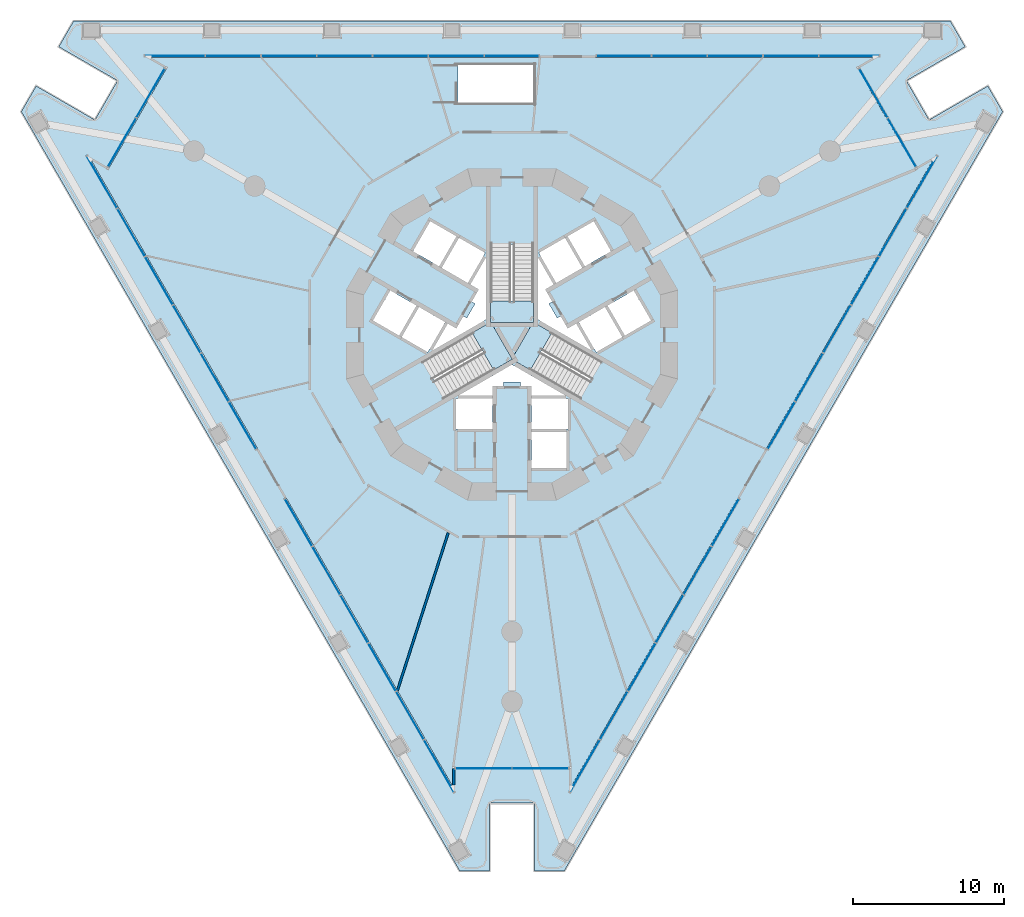
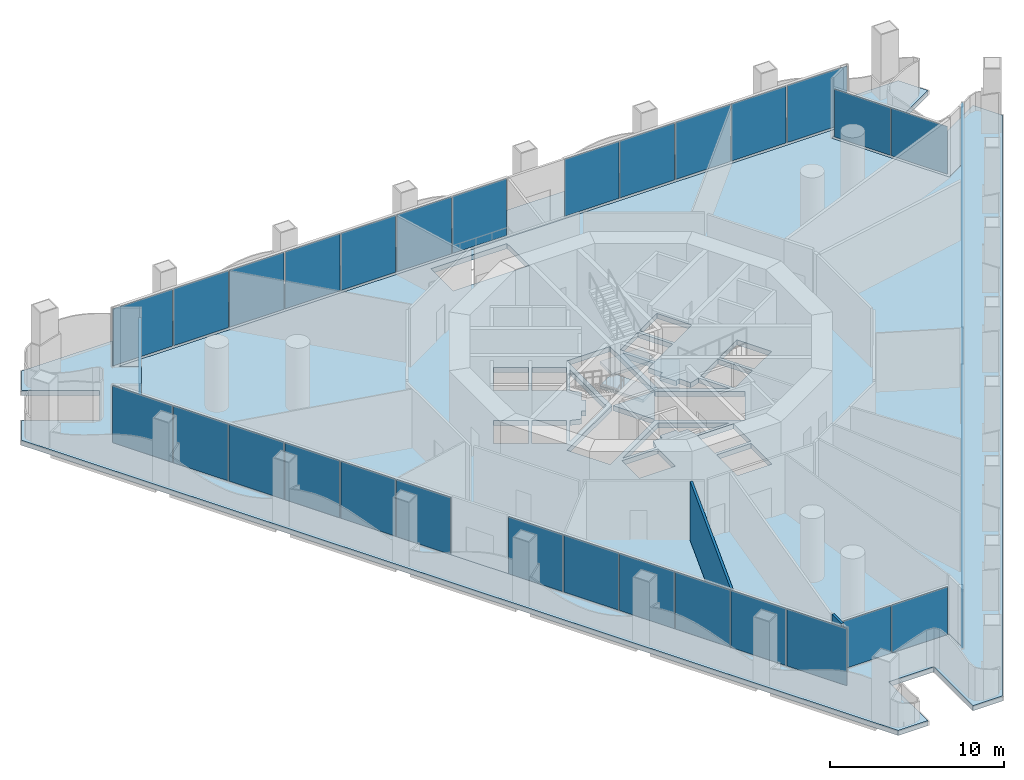
# One storey, part 9 of 21: 42 plates, 6 slabs, 2 walls, 12 elements without a shape of their own.
"""IFC4 building model written with IfcOpenShell, lengths in metres."""

from ifc_helpers import new_model, si_unit, direction, frame, frame_2d, origin, origin_2d, place, context, subcontext, project, spatial, polyline, rectangle, outline, extrude, material, layer, layer_set, type_object, element, aggregate, save


model = new_model("IFC4")

# Units and contexts
model_context = context("Model", 3, precision=1e-05, world=origin(), true_north=direction((0.0, 1.0)))
body_context = subcontext(model_context, "Body", "Model", "MODEL_VIEW")
ifc_project = project(units=[si_unit("LENGTHUNIT", "METRE"), si_unit("AREAUNIT", "SQUARE_METRE"), si_unit("VOLUMEUNIT", "CUBIC_METRE"), si_unit("PLANEANGLEUNIT", "RADIAN"), si_unit("MASSUNIT", "GRAM", prefix="KILO")], contexts=[model_context])

# Site, building, storey
site_placement = place(None, origin())
site = spatial("IfcSite", under=ifc_project, at=site_placement, CompositionType="ELEMENT")
building_placement = place(site_placement, origin())
building = spatial("IfcBuilding", under=site, at=building_placement, Name="Trine Commons Tower", CompositionType="ELEMENT")
storey_placement = place(building_placement, frame((0.0, 0.0, 27.0)))
storey = spatial("IfcBuildingStorey", under=building, at=storey_placement, Name="L05", CompositionType="ELEMENT", Elevation=27.0)

# Curtain wall, plates
ifc_material_1 = material(Name="Corner pocket glazing: anodised aluminium frame with low-emissivity double glazed unit, laminated", Category="aluminium")
ifc_layer_1 = layer(ifc_material_1, 0.179931640625)
ifc_layer_set_1 = layer_set([ifc_layer_1], Name="Corner pocket glazing: anodised aluminium frame with low-emissivity double glazed unit, laminated")
curtain_wall_type_1 = type_object("IfcCurtainWallType", Name="Corner pocket glazing curtain wall CW8", PredefinedType="NOTDEFINED", material=ifc_layer_set_1)
curtain_wall_1_placement = place(storey_placement, origin())
curtain_wall_1 = element("IfcCurtainWall", 1, at=curtain_wall_1_placement, inside=storey, type_object=curtain_wall_type_1, Name="Corner pocket glazing L05 P1.1", PredefinedType="NOTDEFINED")
ifc_material_2 = material(Name="Low-emissivity double glazed unit, laminated")
ifc_layer_2 = layer(ifc_material_2, 0.030029296875)
ifc_layer_set_2 = layer_set([ifc_layer_2], Name="Low-emissivity double glazed unit, laminated")
plate_type_1 = type_object("IfcPlateType", Name="Double glazed unit 30 mm (corner pockets)", PredefinedType="CURTAIN_PANEL", material=ifc_layer_set_2)
plate_1_placement = place(storey_placement, frame((54.15185546875, 75.248291015625, 0.08984375), z_axis=(0.0, 0.0, 1.0), x_axis=(0.5, 0.866025403784, 0.0)))
plate_1 = element("IfcPlate", 2, at=plate_1_placement, type_object=plate_type_1, Name="CW8 panel 1.1", PredefinedType="CURTAIN_PANEL", context=body_context, shape_type="SweptSolid", body=[
    extrude(rectangle(XDim=3.702392578125, YDim=0.030029296875, at=origin_2d()), origin(), (0.0, 0.0, 1.0), 3.35009765625),
])
plate_2_placement = place(storey_placement, frame((56.03564453125, 78.510986328125, 0.08984375), z_axis=(0.0, 0.0, 1.0), x_axis=(0.5, 0.866025403784, 0.0)))
plate_2 = element("IfcPlate", 3, at=plate_2_placement, type_object=plate_type_1, Name="CW8 panel 2.1", PredefinedType="CURTAIN_PANEL", context=body_context, shape_type="SweptSolid", body=[
    extrude(rectangle(XDim=3.702392578125, YDim=0.030029296875, at=origin_2d()), origin(), (0.0, 0.0, 1.0), 3.35009765625),
])
aggregate(curtain_wall_1, [plate_1, plate_2])

curtain_wall_2_placement = place(storey_placement, origin())
curtain_wall_2 = element("IfcCurtainWall", 4, at=curtain_wall_2_placement, inside=storey, type_object=curtain_wall_type_1, Name="Corner pocket glazing L05 P2.1", PredefinedType="NOTDEFINED")
plate_3_placement = place(storey_placement, frame((103.96435546875, 78.510986328125, 0.08984375), z_axis=(0.0, 0.0, 1.0), x_axis=(0.5, -0.866025403784, 0.0)))
plate_3 = element("IfcPlate", 5, at=plate_3_placement, type_object=plate_type_1, Name="CW8 panel 1.1", PredefinedType="CURTAIN_PANEL", context=body_context, shape_type="SweptSolid", body=[
    extrude(rectangle(XDim=3.702392578125, YDim=0.030029296875, at=origin_2d()), origin(), (0.0, 0.0, 1.0), 3.35009765625),
])
plate_4_placement = place(storey_placement, frame((105.84814453125, 75.248291015625, 0.08984375), z_axis=(0.0, 0.0, 1.0), x_axis=(0.5, -0.866025403784, 0.0)))
plate_4 = element("IfcPlate", 6, at=plate_4_placement, type_object=plate_type_1, Name="CW8 panel 2.1", PredefinedType="CURTAIN_PANEL", context=body_context, shape_type="SweptSolid", body=[
    extrude(rectangle(XDim=3.702392578125, YDim=0.030029296875, at=origin_2d()), origin(), (0.0, 0.0, 1.0), 3.35009765625),
])
aggregate(curtain_wall_2, [plate_3, plate_4])

curtain_wall_3_placement = place(storey_placement, origin())
curtain_wall_3 = element("IfcCurtainWall", 7, at=curtain_wall_3_placement, inside=storey, type_object=curtain_wall_type_1, Name="Corner pocket glazing L05 P3.1", PredefinedType="NOTDEFINED")
plate_5_placement = place(storey_placement, frame((81.8837890625, 33.74072265625, 0.08984375), z_axis=(0.0, 0.0, 1.0), x_axis=(-1.0, 0.0, 0.0)))
plate_5 = element("IfcPlate", 8, at=plate_5_placement, type_object=plate_type_1, Name="CW8 panel 1.1", PredefinedType="CURTAIN_PANEL", context=body_context, shape_type="SweptSolid", body=[
    extrude(rectangle(XDim=3.702392578125, YDim=0.030029296875, at=origin_2d()), origin(), (0.0, 0.0, 1.0), 3.35009765625),
])
plate_6_placement = place(storey_placement, frame((78.1162109375, 33.74072265625, 0.08984375), z_axis=(0.0, 0.0, 1.0), x_axis=(-1.0, 0.0, 0.0)))
plate_6 = element("IfcPlate", 9, at=plate_6_placement, type_object=plate_type_1, Name="CW8 panel 2.1", PredefinedType="CURTAIN_PANEL", context=body_context, shape_type="SweptSolid", body=[
    extrude(rectangle(XDim=3.702392578125, YDim=0.030029296875, at=origin_2d()), origin(), (0.0, 0.0, 1.0), 3.35009765625),
])
aggregate(curtain_wall_3, [plate_5, plate_6])

ifc_material_3 = material(Name="Podium glazing: anodised aluminium frame with low-emissivity double glazed unit", Category="aluminium")
ifc_layer_3 = layer(ifc_material_3, 0.199951171875)
ifc_layer_set_3 = layer_set([ifc_layer_3], Name="Podium glazing: anodised aluminium frame with low-emissivity double glazed unit")
curtain_wall_type_2 = type_object("IfcCurtainWallType", Name="Podium glazing curtain wall CW3", PredefinedType="NOTDEFINED", material=ifc_layer_set_3)
curtain_wall_4_placement = place(storey_placement, origin())
curtain_wall_4 = element("IfcCurtainWall", 10, at=curtain_wall_4_placement, inside=storey, type_object=curtain_wall_type_2, Name="Podium glazing L05 F1.1", PredefinedType="NOTDEFINED")
ifc_material_4 = material(Name="Low-emissivity double glazed unit")
ifc_layer_4 = layer(ifc_material_4, 0.031982421875)
ifc_layer_set_4 = layer_set([ifc_layer_4], Name="Low-emissivity double glazed unit")
plate_type_2 = type_object("IfcPlateType", Name="Double glazed unit 32 mm", PredefinedType="CURTAIN_PANEL", material=ifc_layer_set_4)
plate_7_placement = place(storey_placement, frame((57.638427734375, 80.984619140625, 0.10009765625), z_axis=(0.0, 0.0, 1.0), x_axis=(1.0, 0.0, 0.0)))
plate_7 = element("IfcPlate", 11, at=plate_7_placement, type_object=plate_type_2, Name="CW3 panel 1.1", PredefinedType="CURTAIN_PANEL", context=body_context, shape_type="SweptSolid", body=[
    extrude(rectangle(XDim=3.959716796875, YDim=0.031982421875, at=origin_2d()), origin(), (0.0, 0.0, 1.0), 4.0),
])
plate_8_placement = place(storey_placement, frame((61.50537109375, 80.984619140625, 0.10009765625), z_axis=(0.0, 0.0, 1.0), x_axis=(1.0, 0.0, 0.0)))
plate_8 = element("IfcPlate", 12, at=plate_8_placement, type_object=plate_type_2, Name="CW3 panel 2.1", PredefinedType="CURTAIN_PANEL", context=body_context, shape_type="SweptSolid", body=[
    extrude(rectangle(XDim=3.623779296875, YDim=0.031982421875, at=origin_2d()), origin(), (0.0, 0.0, 1.0), 4.0),
])
plate_9_placement = place(storey_placement, frame((65.2041015625, 80.984619140625, 0.10009765625), z_axis=(0.0, 0.0, 1.0), x_axis=(1.0, 0.0, 0.0)))
plate_9 = element("IfcPlate", 13, at=plate_9_placement, type_object=plate_type_2, Name="CW3 panel 3.1", PredefinedType="CURTAIN_PANEL", context=body_context, shape_type="SweptSolid", body=[
    extrude(rectangle(XDim=3.623779296875, YDim=0.031982421875, at=origin_2d()), origin(), (0.0, 0.0, 1.0), 4.0),
])
plate_10_placement = place(storey_placement, frame((68.903076171875, 80.984619140625, 0.10009765625), z_axis=(0.0, 0.0, 1.0), x_axis=(1.0, 0.0, 0.0)))
plate_10 = element("IfcPlate", 14, at=plate_10_placement, type_object=plate_type_2, Name="CW3 panel 4.1", PredefinedType="CURTAIN_PANEL", context=body_context, shape_type="SweptSolid", body=[
    extrude(rectangle(XDim=3.623779296875, YDim=0.031982421875, at=origin_2d()), origin(), (0.0, 0.0, 1.0), 4.0),
])
plate_11_placement = place(storey_placement, frame((72.60205078125, 80.984619140625, 0.10009765625), z_axis=(0.0, 0.0, 1.0), x_axis=(1.0, 0.0, 0.0)))
plate_11 = element("IfcPlate", 15, at=plate_11_placement, type_object=plate_type_2, Name="CW3 panel 5.1", PredefinedType="CURTAIN_PANEL", context=body_context, shape_type="SweptSolid", body=[
    extrude(rectangle(XDim=3.623779296875, YDim=0.031982421875, at=origin_2d()), origin(), (0.0, 0.0, 1.0), 4.0),
])
plate_12_placement = place(storey_placement, frame((76.30078125, 80.984619140625, 0.10009765625), z_axis=(0.0, 0.0, 1.0), x_axis=(1.0, 0.0, 0.0)))
plate_12 = element("IfcPlate", 16, at=plate_12_placement, type_object=plate_type_2, Name="CW3 panel 6.1", PredefinedType="CURTAIN_PANEL", context=body_context, shape_type="SweptSolid", body=[
    extrude(rectangle(XDim=3.623779296875, YDim=0.031982421875, at=origin_2d()), origin(), (0.0, 0.0, 1.0), 4.0),
])
plate_13_placement = place(storey_placement, frame((79.98095703125, 80.984619140625, 0.10009765625), z_axis=(0.0, 0.0, 1.0), x_axis=(1.0, 0.0, 0.0)))
plate_13 = element("IfcPlate", 17, at=plate_13_placement, type_object=plate_type_2, Name="CW3 panel 7.1", PredefinedType="CURTAIN_PANEL", context=body_context, shape_type="SweptSolid", body=[
    extrude(rectangle(XDim=3.58642578125, YDim=0.031982421875, at=origin_2d()), origin(), (0.0, 0.0, 1.0), 4.0),
])
aggregate(curtain_wall_4, [plate_7, plate_8, plate_9, plate_10, plate_11, plate_12, plate_13])

curtain_wall_5_placement = place(storey_placement, origin())
curtain_wall_5 = element("IfcCurtainWall", 18, at=curtain_wall_5_placement, inside=storey, type_object=curtain_wall_type_2, Name="Podium glazing L05 F1.2", PredefinedType="NOTDEFINED")
plate_14_placement = place(storey_placement, frame((87.416259765625, 80.984619140625, 0.10009765625), z_axis=(0.0, 0.0, 1.0), x_axis=(1.0, 0.0, 0.0)))
plate_14 = element("IfcPlate", 19, at=plate_14_placement, type_object=plate_type_2, Name="CW3 panel 1.1", PredefinedType="CURTAIN_PANEL", context=body_context, shape_type="SweptSolid", body=[
    extrude(rectangle(XDim=3.58642578125, YDim=0.031982421875, at=origin_2d()), origin(), (0.0, 0.0, 1.0), 4.0),
])
plate_15_placement = place(storey_placement, frame((91.096435546875, 80.984619140625, 0.10009765625), z_axis=(0.0, 0.0, 1.0), x_axis=(1.0, 0.0, 0.0)))
plate_15 = element("IfcPlate", 20, at=plate_15_placement, type_object=plate_type_2, Name="CW3 panel 2.1", PredefinedType="CURTAIN_PANEL", context=body_context, shape_type="SweptSolid", body=[
    extrude(rectangle(XDim=3.623779296875, YDim=0.031982421875, at=origin_2d()), origin(), (0.0, 0.0, 1.0), 4.0),
])
plate_16_placement = place(storey_placement, frame((94.79541015625, 80.984619140625, 0.10009765625), z_axis=(0.0, 0.0, 1.0), x_axis=(1.0, 0.0, 0.0)))
plate_16 = element("IfcPlate", 21, at=plate_16_placement, type_object=plate_type_2, Name="CW3 panel 3.1", PredefinedType="CURTAIN_PANEL", context=body_context, shape_type="SweptSolid", body=[
    extrude(rectangle(XDim=3.623779296875, YDim=0.031982421875, at=origin_2d()), origin(), (0.0, 0.0, 1.0), 4.0),
])
plate_17_placement = place(storey_placement, frame((98.494384765625, 80.984619140625, 0.10009765625), z_axis=(0.0, 0.0, 1.0), x_axis=(1.0, 0.0, 0.0)))
plate_17 = element("IfcPlate", 22, at=plate_17_placement, type_object=plate_type_2, Name="CW3 panel 4.1", PredefinedType="CURTAIN_PANEL", context=body_context, shape_type="SweptSolid", body=[
    extrude(rectangle(XDim=3.623779296875, YDim=0.031982421875, at=origin_2d()), origin(), (0.0, 0.0, 1.0), 4.0),
])
plate_18_placement = place(storey_placement, frame((102.361328125, 80.984619140625, 0.10009765625), z_axis=(0.0, 0.0, 1.0), x_axis=(1.0, 0.0, 0.0)))
plate_18 = element("IfcPlate", 23, at=plate_18_placement, type_object=plate_type_2, Name="CW3 panel 5.1", PredefinedType="CURTAIN_PANEL", context=body_context, shape_type="SweptSolid", body=[
    extrude(rectangle(XDim=3.960205078125, YDim=0.031982421875, at=origin_2d()), origin(), (0.0, 0.0, 1.0), 4.0),
])
aggregate(curtain_wall_5, [plate_14, plate_15, plate_16, plate_17, plate_18])

curtain_wall_6_placement = place(storey_placement, origin())
curtain_wall_6 = element("IfcCurtainWall", 24, at=curtain_wall_6_placement, inside=storey, type_object=curtain_wall_type_2, Name="Podium glazing L05 F2.1", PredefinedType="NOTDEFINED")
plate_19_placement = place(storey_placement, frame((107.18896484375, 72.623291015625, 0.10009765625), z_axis=(0.0, 0.0, 1.0), x_axis=(-0.5, -0.866025403784, 0.0)))
plate_19 = element("IfcPlate", 25, at=plate_19_placement, type_object=plate_type_2, Name="CW3 panel 1.1", PredefinedType="CURTAIN_PANEL", context=body_context, shape_type="SweptSolid", body=[
    extrude(rectangle(XDim=3.959716796875, YDim=0.031982421875, at=origin_2d()), origin(), (0.0, 0.0, 1.0), 4.0),
])
plate_20_placement = place(storey_placement, frame((105.255615234375, 69.274658203125, 0.10009765625), z_axis=(0.0, 0.0, 1.0), x_axis=(-0.5, -0.866025403784, 0.0)))
plate_20 = element("IfcPlate", 26, at=plate_20_placement, type_object=plate_type_2, Name="CW3 panel 2.1", PredefinedType="CURTAIN_PANEL", context=body_context, shape_type="SweptSolid", body=[
    extrude(rectangle(XDim=3.623779296875, YDim=0.031982421875, at=origin_2d()), origin(), (0.0, 0.0, 1.0), 4.0),
])
plate_21_placement = place(storey_placement, frame((103.406005859375, 66.0712890625, 0.10009765625), z_axis=(0.0, 0.0, 1.0), x_axis=(-0.5, -0.866025403784, 0.0)))
plate_21 = element("IfcPlate", 27, at=plate_21_placement, type_object=plate_type_2, Name="CW3 panel 3.1", PredefinedType="CURTAIN_PANEL", context=body_context, shape_type="SweptSolid", body=[
    extrude(rectangle(XDim=3.623779296875, YDim=0.031982421875, at=origin_2d()), origin(), (0.0, 0.0, 1.0), 4.0),
])
plate_22_placement = place(storey_placement, frame((101.556640625, 62.867919921875, 0.10009765625), z_axis=(0.0, 0.0, 1.0), x_axis=(-0.5, -0.866025403784, 0.0)))
plate_22 = element("IfcPlate", 28, at=plate_22_placement, type_object=plate_type_2, Name="CW3 panel 4.1", PredefinedType="CURTAIN_PANEL", context=body_context, shape_type="SweptSolid", body=[
    extrude(rectangle(XDim=3.623779296875, YDim=0.031982421875, at=origin_2d()), origin(), (0.0, 0.0, 1.0), 4.0),
])
plate_23_placement = place(storey_placement, frame((99.707275390625, 59.66455078125, 0.10009765625), z_axis=(0.0, 0.0, 1.0), x_axis=(-0.5, -0.866025403784, 0.0)))
plate_23 = element("IfcPlate", 29, at=plate_23_placement, type_object=plate_type_2, Name="CW3 panel 5.1", PredefinedType="CURTAIN_PANEL", context=body_context, shape_type="SweptSolid", body=[
    extrude(rectangle(XDim=3.623779296875, YDim=0.031982421875, at=origin_2d()), origin(), (0.0, 0.0, 1.0), 4.0),
])
plate_24_placement = place(storey_placement, frame((97.8671875, 56.4775390625, 0.10009765625), z_axis=(0.0, 0.0, 1.0), x_axis=(-0.5, -0.866025403784, 0.0)))
plate_24 = element("IfcPlate", 30, at=plate_24_placement, type_object=plate_type_2, Name="CW3 panel 6.1", PredefinedType="CURTAIN_PANEL", context=body_context, shape_type="SweptSolid", body=[
    extrude(rectangle(XDim=3.58642578125, YDim=0.031982421875, at=origin_2d()), origin(), (0.0, 0.0, 1.0), 4.0),
])
aggregate(curtain_wall_6, [plate_19, plate_20, plate_21, plate_22, plate_23, plate_24])

curtain_wall_7_placement = place(storey_placement, origin())
curtain_wall_7 = element("IfcCurtainWall", 31, at=curtain_wall_7_placement, inside=storey, type_object=curtain_wall_type_2, Name="Podium glazing L05 F2.2", PredefinedType="NOTDEFINED")
plate_25_placement = place(storey_placement, frame((94.1494140625, 50.038330078125, 0.10009765625), z_axis=(0.0, 0.0, 1.0), x_axis=(-0.5, -0.866025403784, 0.0)))
plate_25 = element("IfcPlate", 32, at=plate_25_placement, type_object=plate_type_2, Name="CW3 panel 1.1", PredefinedType="CURTAIN_PANEL", context=body_context, shape_type="SweptSolid", body=[
    extrude(rectangle(XDim=3.58642578125, YDim=0.031982421875, at=origin_2d()), origin(), (0.0, 0.0, 1.0), 4.0),
])
plate_26_placement = place(storey_placement, frame((92.309326171875, 46.851318359375, 0.10009765625), z_axis=(0.0, 0.0, 1.0), x_axis=(-0.5, -0.866025403784, 0.0)))
plate_26 = element("IfcPlate", 33, at=plate_26_placement, type_object=plate_type_2, Name="CW3 panel 2.1", PredefinedType="CURTAIN_PANEL", context=body_context, shape_type="SweptSolid", body=[
    extrude(rectangle(XDim=3.623779296875, YDim=0.031982421875, at=origin_2d()), origin(), (0.0, 0.0, 1.0), 4.0),
])
plate_27_placement = place(storey_placement, frame((90.4599609375, 43.64794921875, 0.10009765625), z_axis=(0.0, 0.0, 1.0), x_axis=(-0.5, -0.866025403784, 0.0)))
plate_27 = element("IfcPlate", 34, at=plate_27_placement, type_object=plate_type_2, Name="CW3 panel 3.1", PredefinedType="CURTAIN_PANEL", context=body_context, shape_type="SweptSolid", body=[
    extrude(rectangle(XDim=3.623779296875, YDim=0.031982421875, at=origin_2d()), origin(), (0.0, 0.0, 1.0), 4.0),
])
plate_28_placement = place(storey_placement, frame((88.610595703125, 40.444580078125, 0.10009765625), z_axis=(0.0, 0.0, 1.0), x_axis=(-0.5, -0.866025403784, 0.0)))
plate_28 = element("IfcPlate", 35, at=plate_28_placement, type_object=plate_type_2, Name="CW3 panel 4.1", PredefinedType="CURTAIN_PANEL", context=body_context, shape_type="SweptSolid", body=[
    extrude(rectangle(XDim=3.623779296875, YDim=0.031982421875, at=origin_2d()), origin(), (0.0, 0.0, 1.0), 4.0),
])
plate_29_placement = place(storey_placement, frame((86.760986328125, 37.2412109375, 0.10009765625), z_axis=(0.0, 0.0, 1.0), x_axis=(-0.5, -0.866025403784, 0.0)))
plate_29 = element("IfcPlate", 36, at=plate_29_placement, type_object=plate_type_2, Name="CW3 panel 5.1", PredefinedType="CURTAIN_PANEL", context=body_context, shape_type="SweptSolid", body=[
    extrude(rectangle(XDim=3.623779296875, YDim=0.031982421875, at=origin_2d()), origin(), (0.0, 0.0, 1.0), 4.0),
])
plate_30_placement = place(storey_placement, frame((84.827392578125, 33.892333984375, 0.10009765625), z_axis=(0.0, 0.0, 1.0), x_axis=(-0.5, -0.866025403784, 0.0)))
plate_30 = element("IfcPlate", 37, at=plate_30_placement, type_object=plate_type_2, Name="CW3 panel 6.1", PredefinedType="CURTAIN_PANEL", context=body_context, shape_type="SweptSolid", body=[
    extrude(rectangle(XDim=3.960205078125, YDim=0.031982421875, at=origin_2d()), origin(), (0.0, 0.0, 1.0), 4.0),
])
aggregate(curtain_wall_7, [plate_25, plate_26, plate_27, plate_28, plate_29, plate_30])

curtain_wall_8_placement = place(storey_placement, origin())
curtain_wall_8 = element("IfcCurtainWall", 38, at=curtain_wall_8_placement, inside=storey, type_object=curtain_wall_type_2, Name="Podium glazing L05 F3.1", PredefinedType="NOTDEFINED")
plate_31_placement = place(storey_placement, frame((75.172607421875, 33.89208984375, 0.10009765625), z_axis=(0.0, 0.0, 1.0), x_axis=(-0.5, 0.866025403784, 0.0)))
plate_31 = element("IfcPlate", 39, at=plate_31_placement, type_object=plate_type_2, Name="CW3 panel 1.1", PredefinedType="CURTAIN_PANEL", context=body_context, shape_type="SweptSolid", body=[
    extrude(rectangle(XDim=3.959716796875, YDim=0.031982421875, at=origin_2d()), origin(), (0.0, 0.0, 1.0), 4.0),
])
plate_32_placement = place(storey_placement, frame((73.2392578125, 37.24072265625, 0.10009765625), z_axis=(0.0, 0.0, 1.0), x_axis=(-0.5, 0.866025403784, 0.0)))
plate_32 = element("IfcPlate", 40, at=plate_32_placement, type_object=plate_type_2, Name="CW3 panel 2.1", PredefinedType="CURTAIN_PANEL", context=body_context, shape_type="SweptSolid", body=[
    extrude(rectangle(XDim=3.623779296875, YDim=0.031982421875, at=origin_2d()), origin(), (0.0, 0.0, 1.0), 4.0),
])
plate_33_placement = place(storey_placement, frame((71.389892578125, 40.444091796875, 0.10009765625), z_axis=(0.0, 0.0, 1.0), x_axis=(-0.5, 0.866025403784, 0.0)))
plate_33 = element("IfcPlate", 41, at=plate_33_placement, type_object=plate_type_2, Name="CW3 panel 3.1", PredefinedType="CURTAIN_PANEL", context=body_context, shape_type="SweptSolid", body=[
    extrude(rectangle(XDim=3.623779296875, YDim=0.031982421875, at=origin_2d()), origin(), (0.0, 0.0, 1.0), 4.0),
])
plate_34_placement = place(storey_placement, frame((69.540283203125, 43.6474609375, 0.10009765625), z_axis=(0.0, 0.0, 1.0), x_axis=(-0.5, 0.866025403784, 0.0)))
plate_34 = element("IfcPlate", 42, at=plate_34_placement, type_object=plate_type_2, Name="CW3 panel 4.1", PredefinedType="CURTAIN_PANEL", context=body_context, shape_type="SweptSolid", body=[
    extrude(rectangle(XDim=3.623779296875, YDim=0.031982421875, at=origin_2d()), origin(), (0.0, 0.0, 1.0), 4.0),
])
plate_35_placement = place(storey_placement, frame((67.69091796875, 46.850830078125, 0.10009765625), z_axis=(0.0, 0.0, 1.0), x_axis=(-0.5, 0.866025403784, 0.0)))
plate_35 = element("IfcPlate", 43, at=plate_35_placement, type_object=plate_type_2, Name="CW3 panel 5.1", PredefinedType="CURTAIN_PANEL", context=body_context, shape_type="SweptSolid", body=[
    extrude(rectangle(XDim=3.623779296875, YDim=0.031982421875, at=origin_2d()), origin(), (0.0, 0.0, 1.0), 4.0),
])
plate_36_placement = place(storey_placement, frame((65.850830078125, 50.037841796875, 0.10009765625), z_axis=(0.0, 0.0, 1.0), x_axis=(-0.5, 0.866025403784, 0.0)))
plate_36 = element("IfcPlate", 44, at=plate_36_placement, type_object=plate_type_2, Name="CW3 panel 6.1", PredefinedType="CURTAIN_PANEL", context=body_context, shape_type="SweptSolid", body=[
    extrude(rectangle(XDim=3.58642578125, YDim=0.031982421875, at=origin_2d()), origin(), (0.0, 0.0, 1.0), 4.0),
])
aggregate(curtain_wall_8, [plate_31, plate_32, plate_33, plate_34, plate_35, plate_36])

curtain_wall_9_placement = place(storey_placement, origin())
curtain_wall_9 = element("IfcCurtainWall", 45, at=curtain_wall_9_placement, inside=storey, type_object=curtain_wall_type_2, Name="Podium glazing L05 F3.2", PredefinedType="NOTDEFINED")
plate_37_placement = place(storey_placement, frame((62.133056640625, 56.47705078125, 0.10009765625), z_axis=(0.0, 0.0, 1.0), x_axis=(-0.5, 0.866025403784, 0.0)))
plate_37 = element("IfcPlate", 46, at=plate_37_placement, type_object=plate_type_2, Name="CW3 panel 1.1", PredefinedType="CURTAIN_PANEL", context=body_context, shape_type="SweptSolid", body=[
    extrude(rectangle(XDim=3.58642578125, YDim=0.031982421875, at=origin_2d()), origin(), (0.0, 0.0, 1.0), 4.0),
])
plate_38_placement = place(storey_placement, frame((60.293212890625, 59.664306640625, 0.10009765625), z_axis=(0.0, 0.0, 1.0), x_axis=(-0.5, 0.866025403784, 0.0)))
plate_38 = element("IfcPlate", 47, at=plate_38_placement, type_object=plate_type_2, Name="CW3 panel 2.1", PredefinedType="CURTAIN_PANEL", context=body_context, shape_type="SweptSolid", body=[
    extrude(rectangle(XDim=3.623779296875, YDim=0.031982421875, at=origin_2d()), origin(), (0.0, 0.0, 1.0), 4.0),
])
plate_39_placement = place(storey_placement, frame((58.443603515625, 62.867431640625, 0.10009765625), z_axis=(0.0, 0.0, 1.0), x_axis=(-0.5, 0.866025403784, 0.0)))
plate_39 = element("IfcPlate", 48, at=plate_39_placement, type_object=plate_type_2, Name="CW3 panel 3.1", PredefinedType="CURTAIN_PANEL", context=body_context, shape_type="SweptSolid", body=[
    extrude(rectangle(XDim=3.623779296875, YDim=0.031982421875, at=origin_2d()), origin(), (0.0, 0.0, 1.0), 4.0),
])
plate_40_placement = place(storey_placement, frame((56.59423828125, 66.07080078125, 0.10009765625), z_axis=(0.0, 0.0, 1.0), x_axis=(-0.5, 0.866025403784, 0.0)))
plate_40 = element("IfcPlate", 49, at=plate_40_placement, type_object=plate_type_2, Name="CW3 panel 4.1", PredefinedType="CURTAIN_PANEL", context=body_context, shape_type="SweptSolid", body=[
    extrude(rectangle(XDim=3.623779296875, YDim=0.031982421875, at=origin_2d()), origin(), (0.0, 0.0, 1.0), 4.0),
])
plate_41_placement = place(storey_placement, frame((54.74462890625, 69.274169921875, 0.10009765625), z_axis=(0.0, 0.0, 1.0), x_axis=(-0.5, 0.866025403784, 0.0)))
plate_41 = element("IfcPlate", 50, at=plate_41_placement, type_object=plate_type_2, Name="CW3 panel 5.1", PredefinedType="CURTAIN_PANEL", context=body_context, shape_type="SweptSolid", body=[
    extrude(rectangle(XDim=3.623779296875, YDim=0.031982421875, at=origin_2d()), origin(), (0.0, 0.0, 1.0), 4.0),
])
plate_42_placement = place(storey_placement, frame((52.811279296875, 72.623046875, 0.10009765625), z_axis=(0.0, 0.0, 1.0), x_axis=(-0.5, 0.866025403784, 0.0)))
plate_42 = element("IfcPlate", 51, at=plate_42_placement, type_object=plate_type_2, Name="CW3 panel 6.1", PredefinedType="CURTAIN_PANEL", context=body_context, shape_type="SweptSolid", body=[
    extrude(rectangle(XDim=3.960205078125, YDim=0.031982421875, at=origin_2d()), origin(), (0.0, 0.0, 1.0), 4.0),
])
aggregate(curtain_wall_9, [plate_37, plate_38, plate_39, plate_40, plate_41, plate_42])

# Slabs
ifc_material_5 = material(Name="Concrete C50/60", Category="concrete")
ifc_layer_5 = layer(ifc_material_5, 0.35009765625)
ifc_layer_set_5 = layer_set([ifc_layer_5], Name="Concrete C50/60")
slab_type_1 = type_object("IfcSlabType", Name="Loggia slab 350 mm, C50/60", PredefinedType="FLOOR", material=ifc_layer_set_5)
slab_1_placement = place(storey_placement, frame((0.0, 0.0, -0.35009765625)))
element("IfcSlab", 52, at=slab_1_placement, inside=storey, type_object=slab_type_1, Name="Loggia slab L05", PredefinedType="FLOOR", context=body_context, shape_type="SweptSolid", body=[
    extrude(outline(polyline([(83.464111328125, 26.930908203125), (112.535888671875, 77.28466796875), (111.5537109375, 78.985595703125), (107.65673828125, 76.735595703125), (106.15673828125, 79.33349609375), (110.0537109375, 81.58349609375), (109.07177734375, 83.28466796875), (50.92822265625, 83.28466796875), (49.9462890625, 81.58349609375), (53.84326171875, 79.33349609375), (52.34326171875, 76.735595703125), (48.4462890625, 78.985595703125), (47.464111328125, 77.28466796875), (76.535888671875, 26.930908203125), (78.5, 26.930908203125), (78.5, 31.430908203125), (81.5, 31.430908203125), (81.5, 26.930908203125), (83.464111328125, 26.930908203125)]), holes=[polyline([(76.10009765625, 32.48583984375), (76.10009765625, 33.830810546875), (83.89990234375, 33.830810546875), (83.89990234375, 32.48583984375), (107.943115234375, 74.129638671875), (106.7783203125, 73.45703125), (102.87841796875, 80.212158203125), (104.043212890625, 80.884521484375), (55.956787109375, 80.884521484375), (57.12158203125, 80.212158203125), (53.2216796875, 73.45703125), (52.056884765625, 74.129638671875), (76.10009765625, 32.48583984375)])]), origin(), (0.0, 0.0, 1.0), 0.35009765625),
])
ifc_layer_6 = layer(ifc_material_5, 0.35009765625)
ifc_layer_set_6 = layer_set([ifc_layer_6], Name="Concrete C50/60")
slab_type_2 = type_object("IfcSlabType", Name="Podium PT slab 350 mm, C50/60", PredefinedType="FLOOR", material=ifc_layer_set_6)
slab_2_placement = place(storey_placement, frame((0.0, 0.0, -0.35009765625)))
element("IfcSlab", 53, at=slab_2_placement, inside=storey, type_object=slab_type_2, Name="Floor slab L05", PredefinedType="FLOOR", context=body_context, shape_type="SweptSolid", body=[
    extrude(outline(polyline([(52.056884765625, 74.129638671875), (76.10009765625, 32.48583984375), (76.10009765625, 33.830810546875), (83.89990234375, 33.830810546875), (83.89990234375, 32.48583984375), (107.943115234375, 74.129638671875), (106.7783203125, 73.45703125), (102.87841796875, 80.212158203125), (104.043212890625, 80.884521484375), (55.956787109375, 80.884521484375), (57.12158203125, 80.212158203125), (53.2216796875, 73.45703125), (52.056884765625, 74.129638671875)]), holes=[polyline([(76.300048828125, 56.25), (78.699951171875, 56.25), (78.699951171875, 58.25), (76.300048828125, 58.25), (76.300048828125, 56.25)]), polyline([(80.0, 60.8544921875), (84.4755859375, 58.2705078125), (85.900390625, 60.73876953125), (81.425048828125, 63.32275390625), (81.425048828125, 68.490478515625), (78.574951171875, 68.490478515625), (78.574951171875, 63.32275390625), (74.099609375, 60.73876953125), (75.5244140625, 58.2705078125), (80.0, 60.8544921875)]), polyline([(73.83740234375, 64.325927734375), (72.687255859375, 62.333984375), (74.41943359375, 61.333984375), (75.5693359375, 63.325927734375), (73.83740234375, 64.325927734375)]), polyline([(71.93212890625, 65.426025390625), (70.781982421875, 63.43408203125), (72.51416015625, 62.43408203125), (73.6640625, 64.426025390625), (71.93212890625, 65.426025390625)]), polyline([(76.781005859375, 63.722900390625), (76.381103515625, 63.031005859375), (75.742919921875, 63.22607421875), (74.7099609375, 61.43798828125), (78.27490234375, 63.49609375), (78.27490234375, 67.612060546875), (77.242919921875, 65.823974609375), (77.73095703125, 65.368896484375), (77.3310546875, 64.676025390625), (77.555908203125, 64.5458984375), (77.006103515625, 63.593994140625), (76.781005859375, 63.722900390625)]), polyline([(76.4873046875, 68.916015625), (75.33740234375, 66.924072265625), (77.0693359375, 65.924072265625), (78.219482421875, 67.916015625), (76.4873046875, 68.916015625)]), polyline([(76.314208984375, 69.015869140625), (74.58203125, 70.015869140625), (73.43212890625, 68.02392578125), (75.1640625, 67.02392578125), (76.314208984375, 69.015869140625)]), polyline([(76.419921875, 77.8349609375), (81.4599609375, 77.8349609375), (81.4599609375, 80.385009765625), (76.419921875, 80.385009765625), (76.419921875, 77.8349609375)]), polyline([(81.300048828125, 53.64990234375), (83.60009765625, 53.64990234375), (83.60009765625, 56.050048828125), (81.300048828125, 56.050048828125), (81.300048828125, 53.64990234375)]), polyline([(81.300048828125, 56.25), (83.699951171875, 56.25), (83.699951171875, 58.25), (81.300048828125, 58.25), (81.300048828125, 56.25)]), polyline([(81.14990234375, 59.10009765625), (81.300048828125, 58.449951171875), (83.56494140625, 58.449951171875), (80.0, 60.508056640625), (76.43505859375, 58.449951171875), (78.699951171875, 58.449951171875), (78.85009765625, 59.10009765625), (79.449951171875, 59.10009765625), (79.449951171875, 59.360107421875), (80.550048828125, 59.360107421875), (80.550048828125, 59.10009765625), (81.14990234375, 59.10009765625)]), polyline([(87.312744140625, 62.333984375), (86.16259765625, 64.325927734375), (84.4306640625, 63.325927734375), (85.58056640625, 61.333984375), (87.312744140625, 62.333984375)]), polyline([(89.218017578125, 63.43408203125), (88.06787109375, 65.426025390625), (86.3359375, 64.426025390625), (87.48583984375, 62.43408203125), (89.218017578125, 63.43408203125)]), polyline([(83.243896484375, 63.738037109375), (82.993896484375, 63.593994140625), (82.444091796875, 64.5458984375), (82.72705078125, 64.7099609375), (82.281005859375, 65.549072265625), (82.757080078125, 65.823974609375), (81.72509765625, 67.612060546875), (81.72509765625, 63.49609375), (85.2900390625, 61.43798828125), (84.257080078125, 63.22607421875), (83.618896484375, 63.031005859375), (83.243896484375, 63.738037109375)]), polyline([(82.9306640625, 65.924072265625), (84.66259765625, 66.924072265625), (83.5126953125, 68.916015625), (81.780517578125, 67.916015625), (82.9306640625, 65.924072265625)]), polyline([(84.8359375, 67.02392578125), (86.56787109375, 68.02392578125), (85.41796875, 70.015869140625), (83.685791015625, 69.015869140625), (84.8359375, 67.02392578125)])]), origin(), (0.0, 0.0, 1.0), 0.35009765625),
])
slab_3_placement = place(storey_placement, frame((0.0, 0.0, -0.35009765625)))
element("IfcSlab", 54, at=slab_3_placement, inside=storey, type_object=slab_type_2, Name="Floor slab L05 2", PredefinedType="FLOOR", context=body_context, shape_type="SweptSolid", body=[
    extrude(outline(polyline([(78.61328125, 63.300537109375), (80.0, 60.89892578125), (81.38671875, 63.300537109375), (78.61328125, 63.300537109375)])), origin(), (0.0, 0.0, 1.0), 0.35009765625),
])

# Stair, slab
stair_type = type_object("IfcStairType", Name="Exit stair, dog-leg, 30 risers of 150 mm", PredefinedType="HALF_TURN_STAIR", material=ifc_material_5)
stair_1_placement = place(storey_placement, origin())
stair_1 = element("IfcStair", 55, at=stair_1_placement, inside=storey, type_object=stair_type, Name="L05 Exit stair ST1A", PredefinedType="HALF_TURN_STAIR")
ifc_layer_7 = layer(ifc_material_5, 0.199951171875)
ifc_layer_set_7 = layer_set([ifc_layer_7], Name="Concrete C50/60")
slab_type_3 = type_object("IfcSlabType", Name="Stair landing slab 200 mm, C50/60", PredefinedType="LANDING", material=ifc_layer_set_7)
slab_4_placement = place(storey_placement, frame((0.0, 0.0, 2.050048828125)))
slab_4 = element("IfcSlab", 56, at=slab_4_placement, type_object=slab_type_3, Name="ST1A landing 1", PredefinedType="LANDING", context=body_context, shape_type="SweptSolid", body=[
    extrude(outline(polyline([(78.574951171875, 64.730712890625), (78.574951171875, 63.300537109375), (81.425048828125, 63.300537109375), (81.425048828125, 64.730712890625), (78.574951171875, 64.730712890625)])), origin(), (0.0, 0.0, 1.0), 0.199951171875),
])
aggregate(stair_1, [slab_4])

stair_2_placement = place(storey_placement, origin())
stair_2 = element("IfcStair", 57, at=stair_2_placement, inside=storey, type_object=stair_type, Name="L05 Exit stair ST2A", PredefinedType="HALF_TURN_STAIR")
slab_5_placement = place(storey_placement, frame((0.0, 0.0, 2.050048828125)))
slab_5 = element("IfcSlab", 58, at=slab_5_placement, type_object=slab_type_3, Name="ST2A landing 1", PredefinedType="LANDING", context=body_context, shape_type="SweptSolid", body=[
    extrude(outline(polyline([(78.78076171875, 60.150634765625), (80.019287109375, 60.86572265625), (78.59423828125, 63.333740234375), (77.355712890625, 62.618896484375), (78.78076171875, 60.150634765625)])), origin(), (0.0, 0.0, 1.0), 0.199951171875),
])
aggregate(stair_2, [slab_5])

stair_3_placement = place(storey_placement, origin())
stair_3 = element("IfcStair", 59, at=stair_3_placement, inside=storey, type_object=stair_type, Name="L05 Exit stair ST3A", PredefinedType="HALF_TURN_STAIR")
slab_6_placement = place(storey_placement, frame((0.0, 0.0, 2.050048828125)))
slab_6 = element("IfcSlab", 60, at=slab_6_placement, type_object=slab_type_3, Name="ST3A landing 1", PredefinedType="LANDING", context=body_context, shape_type="SweptSolid", body=[
    extrude(outline(polyline([(82.644287109375, 62.618896484375), (81.40576171875, 63.333740234375), (79.980712890625, 60.86572265625), (81.21923828125, 60.150634765625), (82.644287109375, 62.618896484375)])), origin(), (0.0, 0.0, 1.0), 0.199951171875),
])
aggregate(stair_3, [slab_6])

# Walls
ifc_material_6 = material(Name="Plasterboard on steel stud", Category="steel")
ifc_layer_8 = layer(ifc_material_6, 0.14990234375)
ifc_layer_set_8 = layer_set([ifc_layer_8], Name="Plasterboard on steel stud")
wall_type_1 = type_object("IfcWallType", Name="Compartment wall 150 mm, EI 60", PredefinedType="PARTITIONING", material=ifc_layer_set_8)
wall_1_placement = place(storey_placement, frame((72.401123046875, 38.892578125, 0.0), z_axis=(0.0, 0.0, 1.0), x_axis=(0.306392494592, 0.951905268006, 0.0)))
element("IfcWall", 61, at=wall_1_placement, inside=storey, type_object=wall_type_1, Name="Partition P5011", PredefinedType="PARTITIONING", context=body_context, shape_type="SweptSolid", body=[
    extrude(rectangle(XDim=10.98828125, YDim=0.14990234375, at=frame_2d((5.494140625, 0.0))), origin(), (0.0, 0.0, 1.0), 4.14990234375),
])
ifc_material_7 = material(Name="Aluminium-framed insulated wall panel", Category="aluminium")
ifc_layer_9 = layer(ifc_material_7, 0.14990234375)
ifc_layer_set_9 = layer_set([ifc_layer_9], Name="Aluminium-framed insulated wall panel")
wall_type_2 = type_object("IfcWallType", Name="Glazed frame wall 150, EI 60", PredefinedType="SOLIDWALL", material=ifc_layer_set_9)
wall_2_placement = place(storey_placement, frame((76.135009765625, 33.830810546875, 0.0), z_axis=(0.0, 0.0, 1.0), x_axis=(0.0, -1.0, 0.0)))
element("IfcWall", 62, at=wall_2_placement, inside=storey, type_object=wall_type_2, Name="Glazed frame wall L05 R11", PredefinedType="SOLIDWALL", context=body_context, shape_type="SweptSolid", body=[
    extrude(outline(polyline([(0.110107421875, 0.074951171875), (0.110107421875, -0.074951171875), (1.19580078125, -0.074951171875), (1.19580078125, 0.074951171875), (0.110107421875, 0.074951171875)])), origin(), (0.0, 0.0, 1.0), 4.199951171875),
])

save(model, "model.ifc")
